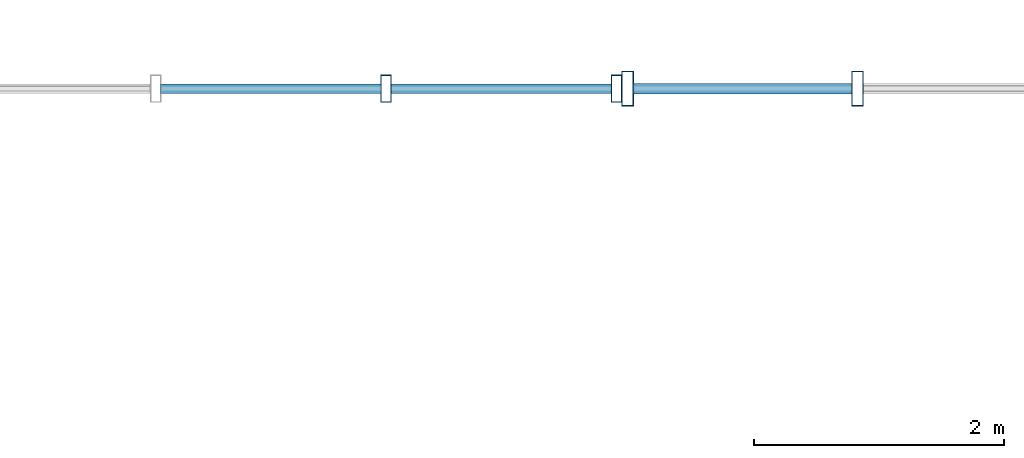
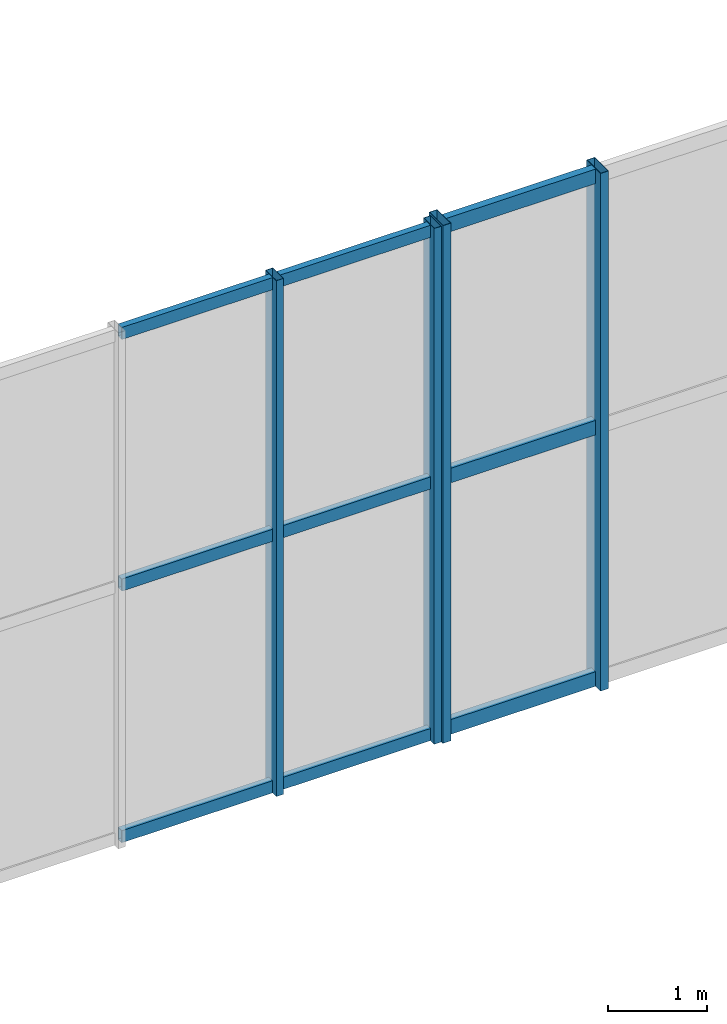
# One storey, part 15 of 28: 13 members, 2 elements without a shape of their own.
"""IFC4 building model written with IfcOpenShell, lengths in metres."""

from ifc_helpers import new_model, si_unit, direction, frame, origin, origin_2d, place, context, subcontext, project, spatial, hollow_rectangle, extrude, material, layer, layer_set, material_profile, profile_set, type_object, element, aggregate, save


model = new_model("IFC4")

# Units and contexts
model_context = context("Model", 3, precision=1e-05, world=origin(), true_north=direction((0.0, 1.0)))
body_context = subcontext(model_context, "Body", "Model", "MODEL_VIEW")
ifc_project = project(units=[si_unit("LENGTHUNIT", "METRE"), si_unit("AREAUNIT", "SQUARE_METRE"), si_unit("VOLUMEUNIT", "CUBIC_METRE"), si_unit("PLANEANGLEUNIT", "RADIAN"), si_unit("MASSUNIT", "GRAM", prefix="KILO"), si_unit("POWERUNIT", "WATT"), si_unit("THERMODYNAMICTEMPERATUREUNIT", "KELVIN")], contexts=[model_context])

# Site, building, storey
site_placement = place(None, origin())
site = spatial("IfcSite", under=ifc_project, at=site_placement, CompositionType="ELEMENT")
building_placement = place(site_placement, origin())
building = spatial("IfcBuilding", under=site, at=building_placement, Name="Kelmbourne Parkland Aquatics Centre", CompositionType="ELEMENT")
storey_placement = place(building_placement, frame((0.0, 0.0, 19.199951171875)))
storey = spatial("IfcBuildingStorey", under=building, at=storey_placement, Name="L04", CompositionType="ELEMENT", Elevation=19.199951171875)

# Curtain wall, members
ifc_material = material(Name="Thermally broken anodised aluminium framing", Category="aluminium")
ifc_layer_1 = layer(ifc_material, 0.179931640625)
ifc_layer_set_1 = layer_set([ifc_layer_1], Name="Thermally broken anodised aluminium framing")
curtain_wall_type_1 = type_object("IfcCurtainWallType", Name="CW-13", PredefinedType="NOTDEFINED", material=ifc_layer_set_1)
curtain_wall_1_placement = place(storey_placement, origin())
curtain_wall_1 = element("IfcCurtainWall", 1, at=curtain_wall_1_placement, inside=storey, type_object=curtain_wall_type_1, Name="Wave-hall clerestory curtain wall CW-L04-157", PredefinedType="NOTDEFINED")
ifc_material_profile_1 = material_profile(ifc_material, hollow_rectangle(XDim=0.0849609375, YDim=0.219970703125, WallThickness=0.0048828125, at=origin_2d()), Name="CW-M 85x220")
ifc_profile_set_1 = profile_set([ifc_material_profile_1], Name="Thermally broken anodised aluminium framing")
member_type_1 = type_object("IfcMemberType", Name="MB-MUL-3", PredefinedType="MULLION", material=ifc_profile_set_1)
member_1_placement = place(storey_placement, frame((156.111572265625, 114.800048828125, 0.0), z_axis=(0.0, 0.0, 1.0), x_axis=(1.0, 0.0, 0.0)))
member_1 = element("IfcMember", 2, at=member_1_placement, type_object=member_type_1, Name="CW-L04-157 mullion 2", PredefinedType="MULLION", context=body_context, shape_type="SweptSolid", body=[
    extrude(hollow_rectangle(XDim=0.0849609375, YDim=0.219970703125, WallThickness=0.0048828125, at=origin_2d()), origin(), (0.0, 0.0, 1.0), 6.376953125),
])
member_2_placement = place(storey_placement, frame((157.95751953125, 114.800048828125, 0.0), z_axis=(0.0, 0.0, 1.0), x_axis=(1.0, 0.0, 0.0)))
member_2 = element("IfcMember", 3, at=member_2_placement, type_object=member_type_1, Name="CW-L04-157 mullion 3", PredefinedType="MULLION", context=body_context, shape_type="SweptSolid", body=[
    extrude(hollow_rectangle(XDim=0.0849609375, YDim=0.219970703125, WallThickness=0.0048828125, at=origin_2d()), origin(), (0.0, 0.0, 1.0), 6.376953125),
])

ifc_layer_2 = layer(ifc_material, 0.179931640625)
ifc_layer_set_2 = layer_set([ifc_layer_2], Name="Thermally broken anodised aluminium framing")
curtain_wall_type_2 = type_object("IfcCurtainWallType", Name="CW-14", PredefinedType="NOTDEFINED", material=ifc_layer_set_2)
curtain_wall_2_placement = place(storey_placement, origin())
curtain_wall_2 = element("IfcCurtainWall", 4, at=curtain_wall_2_placement, inside=storey, type_object=curtain_wall_type_2, Name="Wave-hall clerestory curtain wall CW-L04-158", PredefinedType="NOTDEFINED")
ifc_material_profile_2 = material_profile(ifc_material, hollow_rectangle(XDim=0.094970703125, YDim=0.280029296875, WallThickness=0.005615234375, at=origin_2d()), Name="CW-M 95x280")
ifc_profile_set_2 = profile_set([ifc_material_profile_2], Name="Thermally broken anodised aluminium framing")
member_type_2 = type_object("IfcMemberType", Name="MB-MUL-4", PredefinedType="MULLION", material=ifc_profile_set_2)
member_3_placement = place(storey_placement, frame((158.047607421875, 114.800048828125, 0.0), z_axis=(0.0, 0.0, 1.0), x_axis=(1.0, 0.0, 0.0)))
member_3 = element("IfcMember", 5, at=member_3_placement, type_object=member_type_2, Name="CW-L04-158 mullion 0", PredefinedType="MULLION", context=body_context, shape_type="SweptSolid", body=[
    extrude(hollow_rectangle(XDim=0.094970703125, YDim=0.280029296875, WallThickness=0.005615234375, at=origin_2d()), origin(), (0.0, 0.0, 1.0), 6.400634765625),
])
member_4_placement = place(storey_placement, frame((159.89013671875, 114.800048828125, 0.0), z_axis=(0.0, 0.0, 1.0), x_axis=(1.0, 0.0, 0.0)))
member_4 = element("IfcMember", 6, at=member_4_placement, type_object=member_type_2, Name="CW-L04-158 mullion 1", PredefinedType="MULLION", context=body_context, shape_type="SweptSolid", body=[
    extrude(hollow_rectangle(XDim=0.094970703125, YDim=0.280029296875, WallThickness=0.005615234375, at=origin_2d()), origin(), (0.0, 0.0, 1.0), 6.400634765625),
])

# Member
ifc_material_profile_3 = material_profile(ifc_material, hollow_rectangle(XDim=0.074951171875, YDim=0.14990234375, WallThickness=0.00390625, at=origin_2d()), Name="CW-T 75x150")
ifc_profile_set_3 = profile_set([ifc_material_profile_3], Name="Thermally broken anodised aluminium framing")
member_type_3 = type_object("IfcMemberType", Name="MB-TRN-2", PredefinedType="USERDEFINED", material=ifc_profile_set_3)
member_5_placement = place(storey_placement, frame((154.303955078125, 114.800048828125, 0.078125), z_axis=(1.0, 0.0, 0.0), x_axis=(0.0, 1.0, 0.0)))
member_5 = element("IfcMember", 7, at=member_5_placement, type_object=member_type_3, Name="CW-L04-157 transom 0-1", ObjectType="TRANSOM", PredefinedType="USERDEFINED", context=body_context, shape_type="SweptSolid", body=[
    extrude(hollow_rectangle(XDim=0.074951171875, YDim=0.14990234375, WallThickness=0.00390625, at=origin_2d()), origin(), (0.0, 0.0, 1.0), 1.76904296875),
])

member_6_placement = place(storey_placement, frame((156.14990234375, 114.800048828125, 0.078125), z_axis=(1.0, 0.0, 0.0), x_axis=(0.0, 1.0, 0.0)))
member_6 = element("IfcMember", 8, at=member_6_placement, type_object=member_type_3, Name="CW-L04-157 transom 0-2", ObjectType="TRANSOM", PredefinedType="USERDEFINED", context=body_context, shape_type="SweptSolid", body=[
    extrude(hollow_rectangle(XDim=0.074951171875, YDim=0.14990234375, WallThickness=0.00390625, at=origin_2d()), origin(), (0.0, 0.0, 1.0), 1.76904296875),
])

member_7_placement = place(storey_placement, frame((154.303955078125, 114.800048828125, 3.1884765625), z_axis=(1.0, 0.0, 0.0), x_axis=(0.0, 1.0, 0.0)))
member_7 = element("IfcMember", 9, at=member_7_placement, type_object=member_type_3, Name="CW-L04-157 transom 1-1", ObjectType="TRANSOM", PredefinedType="USERDEFINED", context=body_context, shape_type="SweptSolid", body=[
    extrude(hollow_rectangle(XDim=0.074951171875, YDim=0.14990234375, WallThickness=0.00390625, at=origin_2d()), origin(), (0.0, 0.0, 1.0), 1.76904296875),
])

member_8_placement = place(storey_placement, frame((156.14990234375, 114.800048828125, 3.1884765625), z_axis=(1.0, 0.0, 0.0), x_axis=(0.0, 1.0, 0.0)))
member_8 = element("IfcMember", 10, at=member_8_placement, type_object=member_type_3, Name="CW-L04-157 transom 1-2", ObjectType="TRANSOM", PredefinedType="USERDEFINED", context=body_context, shape_type="SweptSolid", body=[
    extrude(hollow_rectangle(XDim=0.074951171875, YDim=0.14990234375, WallThickness=0.00390625, at=origin_2d()), origin(), (0.0, 0.0, 1.0), 1.76904296875),
])

member_9_placement = place(storey_placement, frame((154.303955078125, 114.800048828125, 6.299072265625), z_axis=(1.0, 0.0, 0.0), x_axis=(0.0, 1.0, 0.0)))
member_9 = element("IfcMember", 11, at=member_9_placement, type_object=member_type_3, Name="CW-L04-157 transom 2-1", ObjectType="TRANSOM", PredefinedType="USERDEFINED", context=body_context, shape_type="SweptSolid", body=[
    extrude(hollow_rectangle(XDim=0.074951171875, YDim=0.14990234375, WallThickness=0.00390625, at=origin_2d()), origin(), (0.0, 0.0, 1.0), 1.76904296875),
])

member_10_placement = place(storey_placement, frame((156.14990234375, 114.800048828125, 6.299072265625), z_axis=(1.0, 0.0, 0.0), x_axis=(0.0, 1.0, 0.0)))
member_10 = element("IfcMember", 12, at=member_10_placement, type_object=member_type_3, Name="CW-L04-157 transom 2-2", ObjectType="TRANSOM", PredefinedType="USERDEFINED", context=body_context, shape_type="SweptSolid", body=[
    extrude(hollow_rectangle(XDim=0.074951171875, YDim=0.14990234375, WallThickness=0.00390625, at=origin_2d()), origin(), (0.0, 0.0, 1.0), 1.76904296875),
])

aggregate(curtain_wall_1, [member_1, member_2, member_5, member_6, member_7, member_8, member_9, member_10])

ifc_material_profile_4 = material_profile(ifc_material, hollow_rectangle(XDim=0.0849609375, YDim=0.179931640625, WallThickness=0.00439453125, at=origin_2d()), Name="CW-T 85x180")
ifc_profile_set_4 = profile_set([ifc_material_profile_4], Name="Thermally broken anodised aluminium framing")
member_type_4 = type_object("IfcMemberType", Name="MB-TRN-3", PredefinedType="USERDEFINED", material=ifc_profile_set_4)
member_11_placement = place(storey_placement, frame((158.091064453125, 114.800048828125, 0.093017578125), z_axis=(1.0, 0.0, 0.0), x_axis=(0.0, 1.0, 0.0)))
member_11 = element("IfcMember", 13, at=member_11_placement, type_object=member_type_4, Name="CW-L04-158 transom 0-0", ObjectType="TRANSOM", PredefinedType="USERDEFINED", context=body_context, shape_type="SweptSolid", body=[
    extrude(hollow_rectangle(XDim=0.0849609375, YDim=0.179931640625, WallThickness=0.00439453125, at=origin_2d()), origin(), (0.0, 0.0, 1.0), 1.755615234375),
])

member_12_placement = place(storey_placement, frame((158.091064453125, 114.800048828125, 3.200439453125), z_axis=(1.0, 0.0, 0.0), x_axis=(0.0, 1.0, 0.0)))
member_12 = element("IfcMember", 14, at=member_12_placement, type_object=member_type_4, Name="CW-L04-158 transom 1-0", ObjectType="TRANSOM", PredefinedType="USERDEFINED", context=body_context, shape_type="SweptSolid", body=[
    extrude(hollow_rectangle(XDim=0.0849609375, YDim=0.179931640625, WallThickness=0.00439453125, at=origin_2d()), origin(), (0.0, 0.0, 1.0), 1.755615234375),
])

member_13_placement = place(storey_placement, frame((158.091064453125, 114.800048828125, 6.3076171875), z_axis=(1.0, 0.0, 0.0), x_axis=(0.0, 1.0, 0.0)))
member_13 = element("IfcMember", 15, at=member_13_placement, type_object=member_type_4, Name="CW-L04-158 transom 2-0", ObjectType="TRANSOM", PredefinedType="USERDEFINED", context=body_context, shape_type="SweptSolid", body=[
    extrude(hollow_rectangle(XDim=0.0849609375, YDim=0.179931640625, WallThickness=0.00439453125, at=origin_2d()), origin(), (0.0, 0.0, 1.0), 1.755615234375),
])

aggregate(curtain_wall_2, [member_3, member_4, member_11, member_12, member_13])

save(model, "model.ifc")
